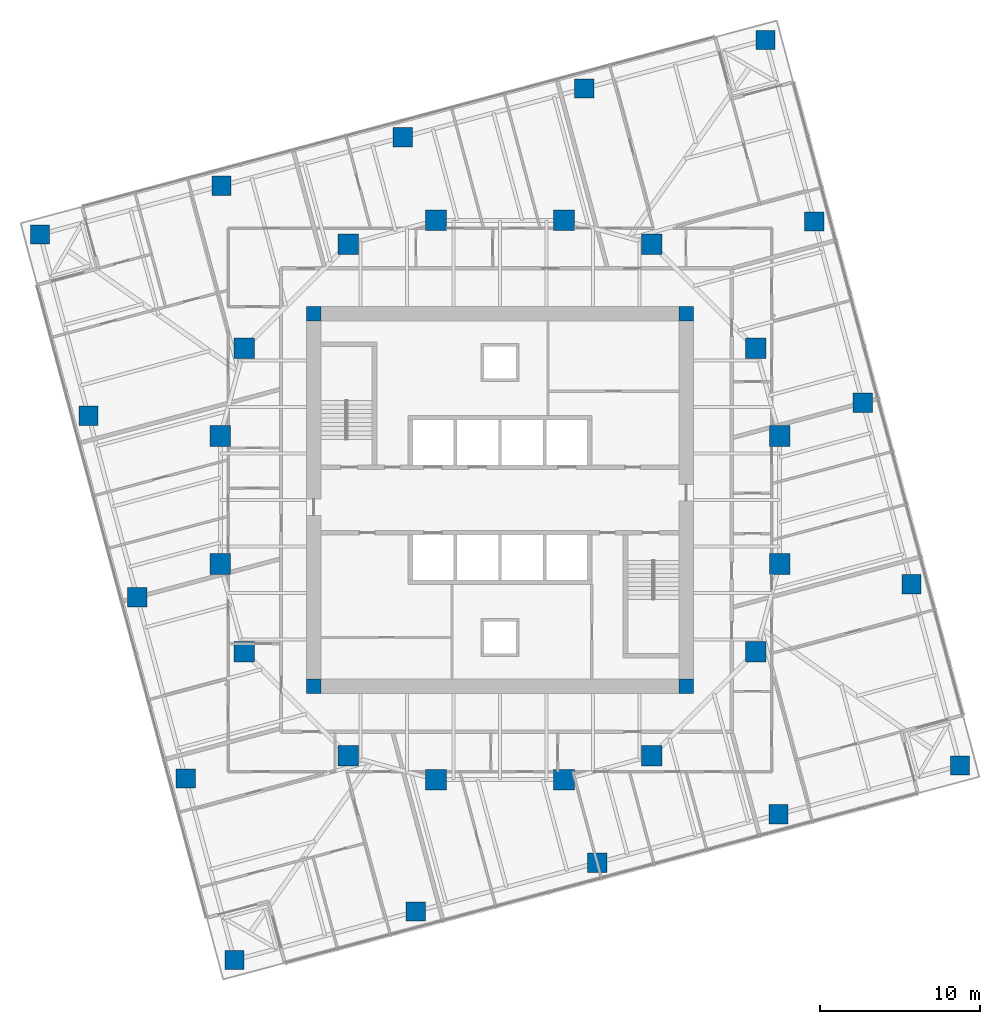
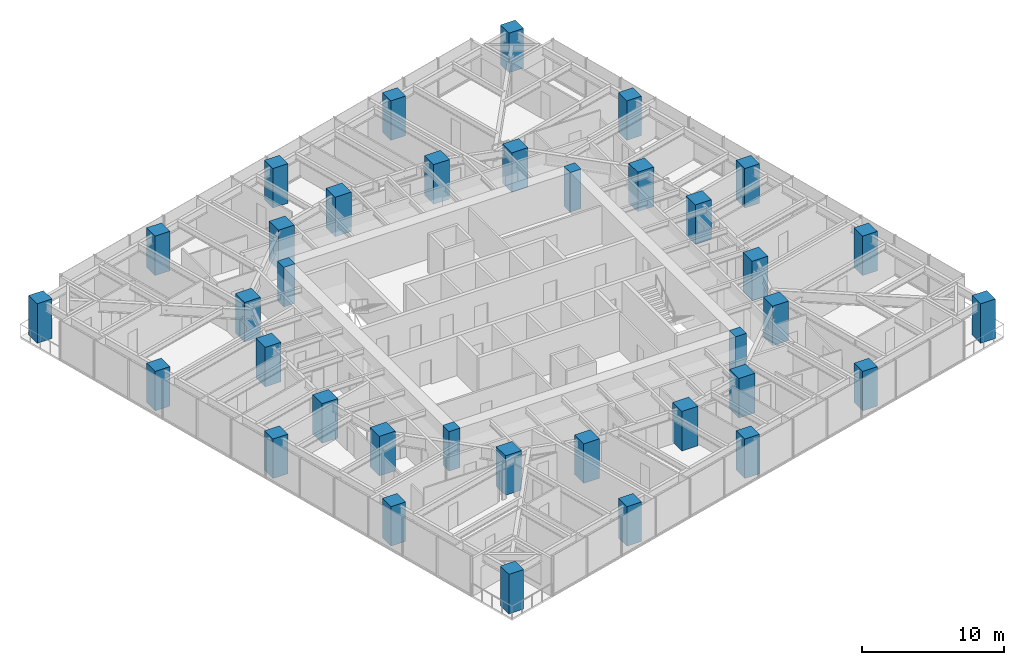
# One storey, part 1 of 13: 36 columns.
"""IFC4 building model written with IfcOpenShell, lengths in metres."""

from ifc_helpers import new_model, si_unit, direction, frame, origin, origin_2d, place, context, subcontext, project, spatial, rectangle, extrude, material, material_profile, profile_set, type_object, element, save


model = new_model("IFC4")

# Units and contexts
model_context = context("Model", 3, precision=1e-05, world=origin(), true_north=direction((0.0, 1.0)))
body_context = subcontext(model_context, "Body", "Model", "MODEL_VIEW")
ifc_project = project(units=[si_unit("LENGTHUNIT", "METRE"), si_unit("AREAUNIT", "SQUARE_METRE"), si_unit("VOLUMEUNIT", "CUBIC_METRE"), si_unit("PLANEANGLEUNIT", "RADIAN"), si_unit("MASSUNIT", "GRAM", prefix="KILO")], contexts=[model_context])

# Site, building, storey
site_placement = place(None, origin())
site = spatial("IfcSite", under=ifc_project, at=site_placement, CompositionType="ELEMENT")
building_placement = place(site_placement, origin())
building = spatial("IfcBuilding", under=site, at=building_placement, Name="Torsade Residences", CompositionType="ELEMENT")
storey_placement = place(building_placement, frame((0.0, 0.0, 115.0)))
storey = spatial("IfcBuildingStorey", under=building, at=storey_placement, Name="L31", CompositionType="ELEMENT", Elevation=115.0)

# Columns
ifc_material_1 = material(Name="Concrete 80 MPa", Category="concrete")
ifc_material_profile_1 = material_profile(ifc_material_1, rectangle(XDim=0.89990234375, YDim=0.89990234375, at=origin_2d()), Name="RC 900x900")
ifc_profile_set_1 = profile_set([ifc_material_profile_1], Name="Concrete 80 MPa")
column_type_1 = type_object("IfcColumnType", Name="CORE CORNER COLUMN RC 900x900", PredefinedType="COLUMN", material=ifc_profile_set_1)
for number, where, z_axis, x_axis, name in (
    (1, (28.35009765625, 18.35009765625, 0.0), (0.0, 0.0, 1.0), (1.0, 0.0, 0.0), "Core corner column CC1 L31"),
    (2, (51.64990234375, 18.35009765625, 0.0), (0.0, 0.0, 1.0), (1.0, 0.0, 0.0), "Core corner column CC2 L31"),
    (3, (51.64990234375, 41.64990234375, 0.0), (0.0, 0.0, 1.0), (1.0, 0.0, 0.0), "Core corner column CC3 L31"),
    (4, (28.35009765625, 41.64990234375, 0.0), (0.0, 0.0, 1.0), (1.0, 0.0, 0.0), "Core corner column CC4 L31"),
):
    element("IfcColumn", number, at=place(storey_placement, frame(where, z_axis=z_axis, x_axis=x_axis)), inside=storey, type_object=column_type_1, Name=name, PredefinedType="COLUMN", context=body_context, shape_type="SweptSolid", body=[
        extrude(rectangle(XDim=0.89990234375, YDim=0.89990234375, at=origin_2d()), origin(), (0.0, 0.0, 1.0), 3.39990234375),
    ])
ifc_material_2 = material(Name="Concrete 80 MPa", Category="concrete")
ifc_material_profile_2 = material_profile(ifc_material_2, rectangle(XDim=1.300048828125, YDim=1.300048828125, at=origin_2d()), Name="RC 1300x1300")
ifc_profile_set_2 = profile_set([ifc_material_profile_2], Name="Concrete 80 MPa")
column_type_2 = type_object("IfcColumnType", Name="INNER RING COLUMN RC 1300x1300", PredefinedType="COLUMN", material=ifc_profile_set_2)
for number, where, z_axis, x_axis, name in (
    (5, (57.5, 26.0, 0.0), (0.0, 0.0, 1.0), (1.0, 0.0, 0.0), "Inner ring column IR01 L31"),
    (6, (57.5, 34.0, 0.0), (0.0, 0.0, 1.0), (1.0, 0.0, 0.0), "Inner ring column IR02 L31"),
    (7, (56.0, 39.5, 0.0), (0.0, 0.0, 1.0), (1.0, 0.0, 0.0), "Inner ring column IR03 L31"),
    (8, (49.5, 46.0, 0.0), (0.0, 0.0, 1.0), (1.0, 0.0, 0.0), "Inner ring column IR04 L31"),
    (9, (44.0, 47.5, 0.0), (0.0, 0.0, 1.0), (1.0, 0.0, 0.0), "Inner ring column IR05 L31"),
    (10, (36.0, 47.5, 0.0), (0.0, 0.0, 1.0), (1.0, 0.0, 0.0), "Inner ring column IR06 L31"),
    (11, (30.5, 46.0, 0.0), (0.0, 0.0, 1.0), (1.0, 0.0, 0.0), "Inner ring column IR07 L31"),
    (12, (24.0, 39.5, 0.0), (0.0, 0.0, 1.0), (1.0, 0.0, 0.0), "Inner ring column IR08 L31"),
    (13, (22.5, 34.0, 0.0), (0.0, 0.0, 1.0), (1.0, 0.0, 0.0), "Inner ring column IR09 L31"),
    (14, (22.5, 26.0, 0.0), (0.0, 0.0, 1.0), (1.0, 0.0, 0.0), "Inner ring column IR10 L31"),
    (15, (24.0, 20.5, 0.0), (0.0, 0.0, 1.0), (1.0, 0.0, 0.0), "Inner ring column IR11 L31"),
    (16, (30.5, 14.0, 0.0), (0.0, 0.0, 1.0), (1.0, 0.0, 0.0), "Inner ring column IR12 L31"),
    (17, (36.0, 12.5, 0.0), (0.0, 0.0, 1.0), (1.0, 0.0, 0.0), "Inner ring column IR13 L31"),
    (18, (44.0, 12.5, 0.0), (0.0, 0.0, 1.0), (1.0, 0.0, 0.0), "Inner ring column IR14 L31"),
    (19, (49.5, 14.0, 0.0), (0.0, 0.0, 1.0), (1.0, 0.0, 0.0), "Inner ring column IR15 L31"),
    (20, (56.0, 20.5, 0.0), (0.0, 0.0, 1.0), (1.0, 0.0, 0.0), "Inner ring column IR16 L31"),
):
    element("IfcColumn", number, at=place(storey_placement, frame(where, z_axis=z_axis, x_axis=x_axis)), inside=storey, type_object=column_type_2, Name=name, PredefinedType="COLUMN", context=body_context, shape_type="SweptSolid", body=[
        extrude(rectangle(XDim=1.300048828125, YDim=1.300048828125, at=origin_2d()), origin(), (0.0, 0.0, 1.0), 3.39990234375),
    ])
ifc_material_3 = material(Name="Concrete 80 MPa", Category="concrete")
ifc_material_profile_3 = material_profile(ifc_material_3, rectangle(XDim=1.199951171875, YDim=1.199951171875, at=origin_2d()), Name="RC 1200x1200")
ifc_profile_set_3 = profile_set([ifc_material_profile_3], Name="Concrete 80 MPa")
column_type_3 = type_object("IfcColumnType", Name="TOWER COLUMN RC 1200x1200", PredefinedType="COLUMN", material=ifc_profile_set_3)
for number, where, z_axis, x_axis, name in (
    (21, (23.383056640625, 1.218505859375, 0.0), (0.0, 0.0, 1.0), (1.0, 0.0, 0.0), "Column TC4-01 L31"),
    (22, (34.732666015625, 4.259521484375, 0.0), (0.0, 0.0, 1.0), (1.0, 0.0, 0.0), "Column TC4-02 L31"),
    (23, (46.082275390625, 7.30078125, 0.0), (0.0, 0.0, 1.0), (1.0, 0.0, 0.0), "Column TC4-03 L31"),
    (24, (57.431884765625, 10.341796875, 0.0), (0.0, 0.0, 1.0), (1.0, 0.0, 0.0), "Column TC4-04 L31"),
    (25, (68.781494140625, 13.383056640625, 0.0), (0.0, 0.0, 1.0), (1.0, 0.0, 0.0), "Column TC4-05 L31"),
    (26, (65.740478515625, 24.732666015625, 0.0), (0.0, 0.0, 1.0), (1.0, 0.0, 0.0), "Column TC4-06 L31"),
    (27, (62.69921875, 36.082275390625, 0.0), (0.0, 0.0, 1.0), (1.0, 0.0, 0.0), "Column TC4-07 L31"),
    (28, (59.658203125, 47.431884765625, 0.0), (0.0, 0.0, 1.0), (1.0, 0.0, 0.0), "Column TC4-08 L31"),
    (29, (56.616943359375, 58.781494140625, 0.0), (0.0, 0.0, 1.0), (1.0, 0.0, 0.0), "Column TC4-09 L31"),
    (30, (45.267333984375, 55.740478515625, 0.0), (0.0, 0.0, 1.0), (1.0, 0.0, 0.0), "Column TC4-10 L31"),
    (31, (33.917724609375, 52.69921875, 0.0), (0.0, 0.0, 1.0), (1.0, 0.0, 0.0), "Column TC4-11 L31"),
    (32, (22.568115234375, 49.658203125, 0.0), (0.0, 0.0, 1.0), (1.0, 0.0, 0.0), "Column TC4-12 L31"),
    (33, (11.218505859375, 46.616943359375, 0.0), (0.0, 0.0, 1.0), (1.0, 0.0, 0.0), "Column TC4-13 L31"),
    (34, (14.259521484375, 35.267333984375, 0.0), (0.0, 0.0, 1.0), (1.0, 0.0, 0.0), "Column TC4-14 L31"),
    (35, (17.30078125, 23.917724609375, 0.0), (0.0, 0.0, 1.0), (1.0, 0.0, 0.0), "Column TC4-15 L31"),
    (36, (20.341796875, 12.568115234375, 0.0), (0.0, 0.0, 1.0), (1.0, 0.0, 0.0), "Column TC4-16 L31"),
):
    element("IfcColumn", number, at=place(storey_placement, frame(where, z_axis=z_axis, x_axis=x_axis)), inside=storey, type_object=column_type_3, Name=name, PredefinedType="COLUMN", context=body_context, shape_type="SweptSolid", body=[
        extrude(rectangle(XDim=1.199951171875, YDim=1.199951171875, at=origin_2d()), origin(), (0.0, 0.0, 1.0), 3.39990234375),
    ])

save(model, "model.ifc")
